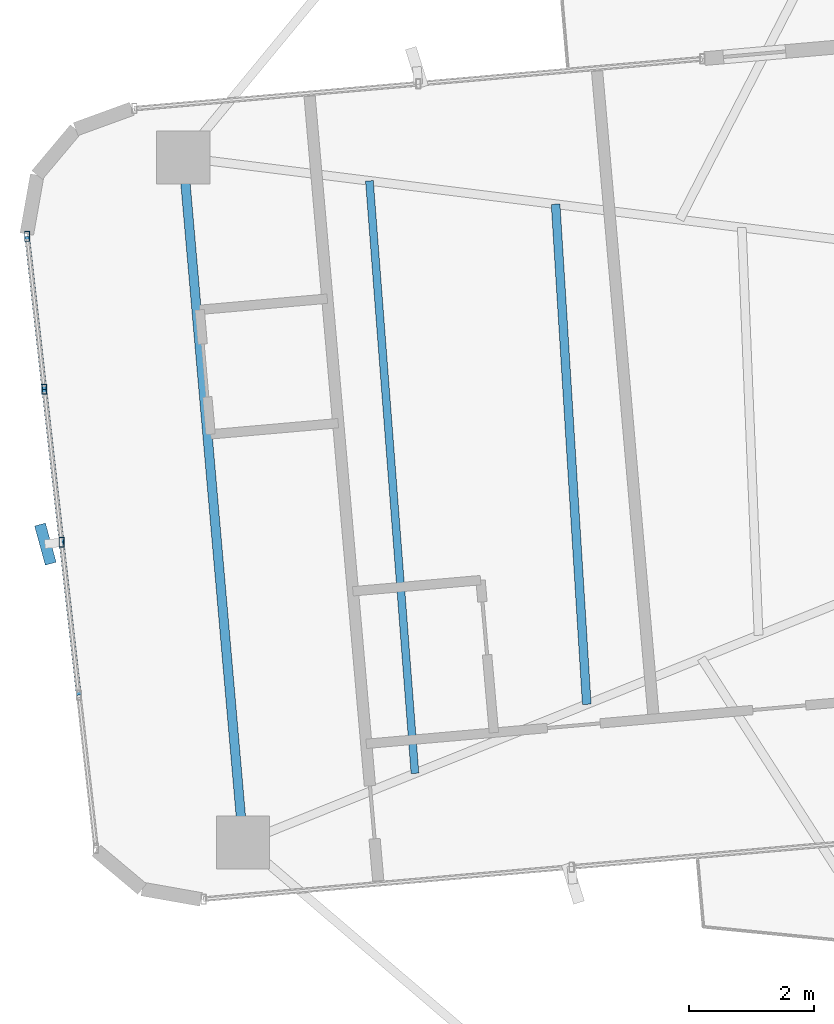
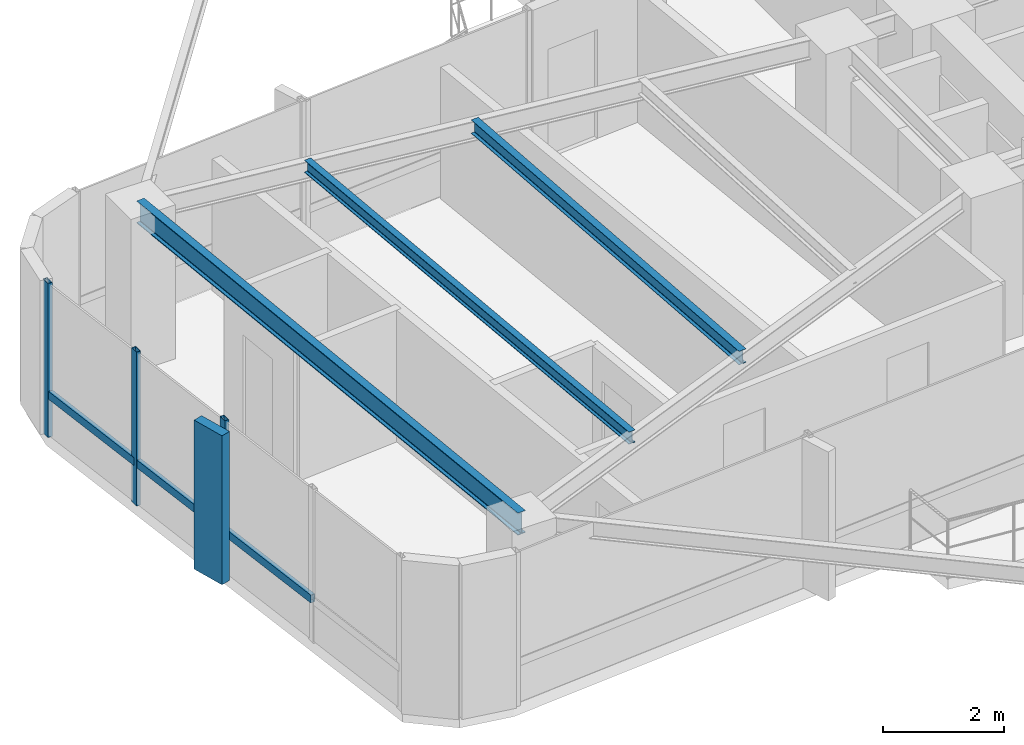
# One storey, part 8 of 24: 7 members, 3 beams, 1 element without a shape of its own.
"""IFC4 building model written with IfcOpenShell, lengths in metres."""

from ifc_helpers import new_model, si_unit, direction, frame, origin, origin_2d, place, context, subcontext, project, spatial, rectangle, hollow_rectangle, i_section, extrude, source, transform, mapped, material, material_profile, profile_set, type_object, element, aggregate, save


model = new_model("IFC4")

# Units and contexts
model_context = context("Model", 3, precision=1e-05, world=origin(), true_north=direction((0.0, 1.0)))
body_context = subcontext(model_context, "Body", "Model", "MODEL_VIEW")
ifc_project = project(units=[si_unit("LENGTHUNIT", "METRE"), si_unit("AREAUNIT", "SQUARE_METRE"), si_unit("VOLUMEUNIT", "CUBIC_METRE"), si_unit("PLANEANGLEUNIT", "RADIAN"), si_unit("MASSUNIT", "GRAM", prefix="KILO")], contexts=[model_context])

# Site, building, storey
site_placement = place(None, origin())
site = spatial("IfcSite", under=ifc_project, at=site_placement, CompositionType="ELEMENT")
building_placement = place(site_placement, origin())
building = spatial("IfcBuilding", under=site, at=building_placement, Name="Sahyath Konkavel Grand Hotel", CompositionType="ELEMENT")
storey_placement = place(building_placement, frame((0.0, 0.0, 147.25)))
storey = spatial("IfcBuildingStorey", under=building, at=storey_placement, Name="L40", CompositionType="ELEMENT", Elevation=147.25)

# Beams
ifc_material_1 = material(Name="Steel E350", Category="steel")
ifc_material_profile_1 = material_profile(ifc_material_1, i_section(OverallWidth=0.14990234375, OverallDepth=0.449951171875, WebThickness=0.009521484375, FlangeThickness=0.017333984375, FilletRadius=0.014892578125, at=origin_2d()), Name="ISMB 450")
ifc_profile_set_1 = profile_set([ifc_material_profile_1], Name="Steel E350")
beam_type_1 = type_object("IfcBeamType", Name="BM-ISMB450", PredefinedType="BEAM", material=ifc_profile_set_1)
shared_shape_1 = source(origin(), body_context, "Body", "SweptSolid", [
    extrude(i_section(OverallWidth=0.14990234375, OverallDepth=0.449951171875, WebThickness=0.009521484375, FlangeThickness=0.017333984375, FilletRadius=0.014892578125, at=origin_2d()), origin(), (0.0, 0.0, 1.0), 11.0),
])
beam_1_placement = place(storey_placement, frame((-17.912841796875, 3.953857421875, 2.885009765625), z_axis=(0.087157314015, -0.996194560622, 0.0), x_axis=(0.996194560622, 0.087157314015, 0.0)))
element("IfcBeam", 1, at=beam_1_placement, inside=storey, type_object=beam_type_1, Name="L40 Wing Tip Edge Beam W", PredefinedType="BEAM", context=body_context, shape_type="MappedRepresentation", body=[
    mapped(shared_shape_1, transform((0.0, 0.0, 0.0), scale=1.0)),
])
ifc_material_profile_2 = material_profile(ifc_material_1, i_section(OverallWidth=0.139892578125, OverallDepth=0.27490234375, WebThickness=0.00634765625, FlangeThickness=0.0087890625, FilletRadius=0.012939453125, at=origin_2d()), Name="ISLB 275")
ifc_profile_set_2 = profile_set([ifc_material_profile_2], Name="Steel E350")
beam_type_2 = type_object("IfcBeamType", Name="BM-ISLB275", PredefinedType="BEAM", material=ifc_profile_set_2)
shared_shape_2 = source(origin(), body_context, "Body", "SweptSolid", [
    extrude(i_section(OverallWidth=0.139892578125, OverallDepth=0.27490234375, WebThickness=0.00634765625, FlangeThickness=0.0087890625, FilletRadius=0.012939453125, at=origin_2d()), origin(), (0.0, 0.0, 1.0), 8.017822265625),
])
beam_2_placement = place(storey_placement, frame((-11.95458984375, 3.2080078125, 2.972412109375), z_axis=(0.062179233264, -0.998064999362, 0.0), x_axis=(0.998064999362, 0.062179233264, 0.0)))
element("IfcBeam", 2, at=beam_2_placement, inside=storey, type_object=beam_type_2, Name="L40 Secondary Floor Beam W-2", PredefinedType="BEAM", context=body_context, shape_type="MappedRepresentation", body=[
    mapped(shared_shape_2, transform((0.0, 0.0, 0.0), scale=1.0)),
])
ifc_material_profile_3 = material_profile(ifc_material_1, i_section(OverallWidth=0.125, OverallDepth=0.25, WebThickness=0.0068359375, FlangeThickness=0.012451171875, FilletRadius=0.012939453125, at=origin_2d()), Name="ISMB 250")
ifc_profile_set_3 = profile_set([ifc_material_profile_3], Name="Steel E350")
beam_type_3 = type_object("IfcBeamType", Name="BM-ISMB250", PredefinedType="BEAM", material=ifc_profile_set_3)
shared_shape_3 = source(origin(), body_context, "Body", "SweptSolid", [
    extrude(i_section(OverallWidth=0.125, OverallDepth=0.25, WebThickness=0.0068359375, FlangeThickness=0.012451171875, FilletRadius=0.012939453125, at=origin_2d()), origin(), (0.0, 0.0, 1.0), 9.508056640625),
])
beam_3_placement = place(storey_placement, frame((-14.93359375, 3.580810546875, 2.985107421875), z_axis=(0.076619921029, -0.997060373148, 0.0), x_axis=(0.997060373148, 0.076619921029, 0.0)))
element("IfcBeam", 3, at=beam_3_placement, inside=storey, type_object=beam_type_3, Name="L40 Secondary Floor Beam W-3", PredefinedType="BEAM", context=body_context, shape_type="MappedRepresentation", body=[
    mapped(shared_shape_3, transform((0.0, 0.0, 0.0), scale=1.0)),
])

# Curtain wall, members
ifc_material_2 = material(Name="Anodised Bronze Aluminium & Low-E Glazing", Category="aluminium")
curtain_wall_type = type_object("IfcCurtainWallType", Name="CW-ZONE3", PredefinedType="NOTDEFINED", material=ifc_material_2)
curtain_wall_placement = place(storey_placement, origin())
curtain_wall = element("IfcCurtainWall", 4, at=curtain_wall_placement, inside=storey, type_object=curtain_wall_type, Name="L40 Unitised Curtain Wall F20", PredefinedType="NOTDEFINED")
ifc_material_3 = material(Name="Warm Buff Sandstone Cladding on Concrete C50/60", Category="masonry")
ifc_material_profile_4 = material_profile(ifc_material_3, rectangle(XDim=0.179931640625, YDim=0.64990234375, at=origin_2d()), Name="FIN 180x650")
ifc_profile_set_4 = profile_set([ifc_material_profile_4], Name="Warm Buff Sandstone Cladding on Concrete C50/60")
member_type_1 = type_object("IfcMemberType", Name="FIN-SANDSTONE-650", PredefinedType="MULLION", material=ifc_profile_set_4)
shared_shape_4 = source(origin(), body_context, "Body", "SweptSolid", [
    extrude(rectangle(XDim=0.179931640625, YDim=0.64990234375, at=origin_2d()), origin(), (0.0, 0.0, 1.0), 3.010009765625),
])
member_1_placement = place(storey_placement, frame((-20.1181640625, -2.23095703125, 0.050048828125), z_axis=(0.0, 0.0, 1.0), x_axis=(0.964326778534, 0.264714684522, 0.0)))
member_1 = element("IfcMember", 5, at=member_1_placement, type_object=member_type_1, Name="L40 Sandstone Vertical Solar Fin FIN F20-2", PredefinedType="MULLION", context=body_context, shape_type="MappedRepresentation", body=[
    mapped(shared_shape_4, transform((0.0, 0.0, 0.0), scale=1.0)),
])
ifc_material_4 = material(Name="Anodised Bronze Aluminium", Category="aluminium")
ifc_material_profile_5 = material_profile(ifc_material_4, hollow_rectangle(XDim=0.080078125, YDim=0.159912109375, WallThickness=0.006103515625, at=origin_2d()), Name="RHS 160x80x6")
ifc_profile_set_5 = profile_set([ifc_material_profile_5], Name="Anodised Bronze Aluminium")
member_type_2 = type_object("IfcMemberType", Name="CW-MUL-160", PredefinedType="MULLION", material=ifc_profile_set_5)
shared_shape_5 = source(origin(), body_context, "Body", "SweptSolid", [
    extrude(hollow_rectangle(XDim=0.080078125, YDim=0.159912109375, WallThickness=0.006103515625, at=origin_2d()), origin(), (0.0, 0.0, 1.0), 3.110107421875),
])
member_2_placement = place(storey_placement, frame((-20.4111328125, 2.69140625, 0.0), z_axis=(0.0, 0.0, 1.0), x_axis=(1.0, 0.0, 0.0)))
member_2 = element("IfcMember", 6, at=member_2_placement, type_object=member_type_2, Name="L40 Curtain Wall Mullion F20-0", PredefinedType="MULLION", context=body_context, shape_type="MappedRepresentation", body=[
    mapped(shared_shape_5, transform((0.0, 0.0, 0.0), scale=1.0)),
])
member_3_placement = place(storey_placement, frame((-20.135498046875, 0.24462890625, 0.0), z_axis=(0.0, 0.0, 1.0), x_axis=(1.0, 0.0, 0.0)))
member_3 = element("IfcMember", 7, at=member_3_placement, type_object=member_type_2, Name="L40 Curtain Wall Mullion F20-1", PredefinedType="MULLION", context=body_context, shape_type="MappedRepresentation", body=[
    mapped(shared_shape_5, transform((0.0, 0.0, 0.0), scale=1.0)),
])
member_4_placement = place(storey_placement, frame((-19.859619140625, -2.201904296875, 0.0), z_axis=(0.0, 0.0, 1.0), x_axis=(1.0, 0.0, 0.0)))
member_4 = element("IfcMember", 8, at=member_4_placement, type_object=member_type_2, Name="L40 Curtain Wall Mullion F20-2", PredefinedType="MULLION", context=body_context, shape_type="MappedRepresentation", body=[
    mapped(shared_shape_5, transform((0.0, 0.0, 0.0), scale=1.0)),
])
ifc_material_profile_6 = material_profile(ifc_material_4, hollow_rectangle(XDim=0.080078125, YDim=0.159912109375, WallThickness=0.006103515625, at=origin_2d()), Name="RHS 160x80x6")
ifc_profile_set_6 = profile_set([ifc_material_profile_6], Name="Anodised Bronze Aluminium")
member_type_3 = type_object("IfcMemberType", Name="CW-TRN-160", PredefinedType="USERDEFINED", material=ifc_profile_set_6)
shared_shape_6 = source(origin(), body_context, "Body", "SweptSolid", [
    extrude(hollow_rectangle(XDim=0.080078125, YDim=0.159912109375, WallThickness=0.006103515625, at=origin_2d()), origin(), (0.0, 0.0, 1.0), 2.462158203125),
])
member_5_placement = place(storey_placement, frame((-20.4111328125, 2.69140625, 0.85009765625), z_axis=(0.11194409079, -0.993714506555, 0.0), x_axis=(0.993714506555, 0.11194409079, 0.0)))
member_5 = element("IfcMember", 9, at=member_5_placement, type_object=member_type_3, Name="L40 Curtain Wall Transom F20-0-spandrel", ObjectType="TRANSOM", PredefinedType="USERDEFINED", context=body_context, shape_type="MappedRepresentation", body=[
    mapped(shared_shape_6, transform((0.0, 0.0, 0.0), scale=1.0)),
])
member_6_placement = place(storey_placement, frame((-20.135498046875, 0.24462890625, 0.85009765625), z_axis=(0.112053040279, -0.99370222711, 0.0), x_axis=(0.99370222711, 0.112053040279, 0.0)))
member_6 = element("IfcMember", 10, at=member_6_placement, type_object=member_type_3, Name="L40 Curtain Wall Transom F20-1-spandrel", ObjectType="TRANSOM", PredefinedType="USERDEFINED", context=body_context, shape_type="MappedRepresentation", body=[
    mapped(shared_shape_6, transform((0.0, 0.0, 0.0), scale=1.0)),
])
shared_shape_7 = source(origin(), body_context, "Body", "SweptSolid", [
    extrude(hollow_rectangle(XDim=0.080078125, YDim=0.159912109375, WallThickness=0.006103515625, at=origin_2d()), origin(), (0.0, 0.0, 1.0), 2.461669921875),
])
member_7_placement = place(storey_placement, frame((-19.859619140625, -2.201904296875, 0.85009765625), z_axis=(0.111966154832, -0.993712020744, 0.0), x_axis=(0.993712020744, 0.111966154832, 0.0)))
member_7 = element("IfcMember", 11, at=member_7_placement, type_object=member_type_3, Name="L40 Curtain Wall Transom F20-2-spandrel", ObjectType="TRANSOM", PredefinedType="USERDEFINED", context=body_context, shape_type="MappedRepresentation", body=[
    mapped(shared_shape_7, transform((0.0, 0.0, 0.0), scale=1.0)),
])
aggregate(curtain_wall, [member_2, member_3, member_4, member_1, member_5, member_6, member_7])

save(model, "model.ifc")
